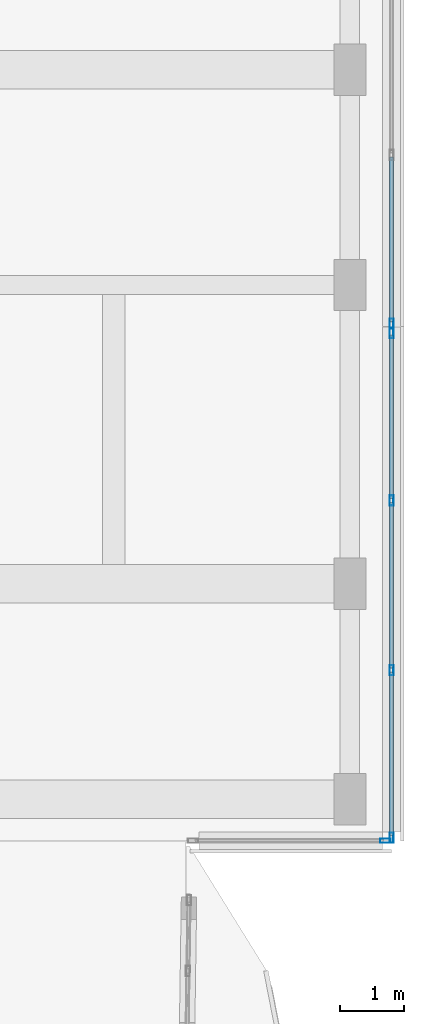
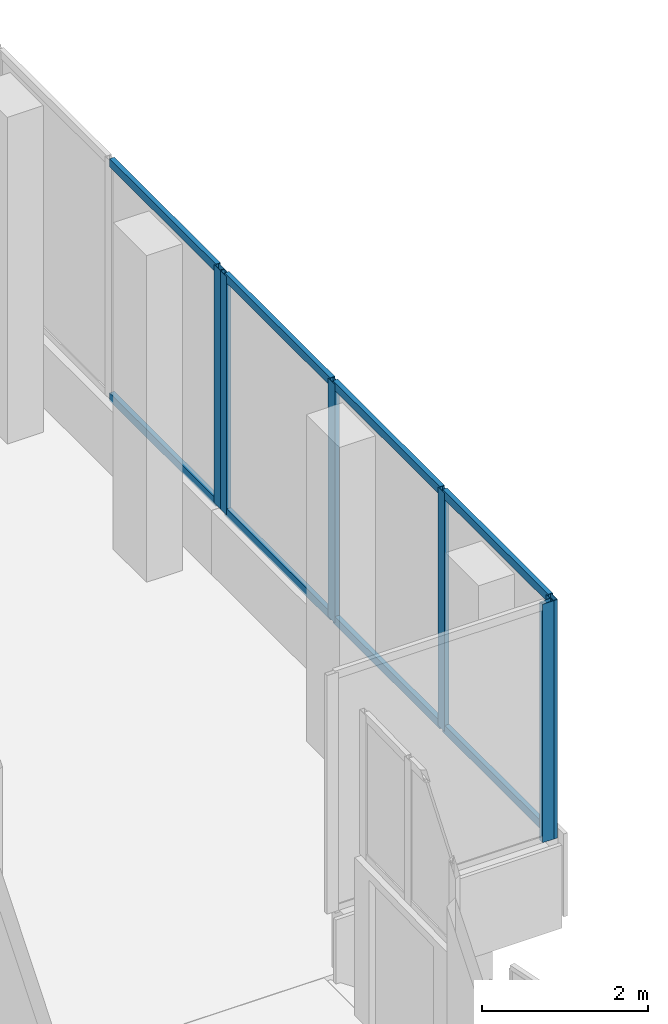
# One storey, part 109 of 168: 14 members, 3 elements without a shape of their own.
"""IFC4 building model written with IfcOpenShell, lengths in metres."""

from ifc_helpers import new_model, si_unit, direction, frame, origin, origin_2d, place, context, subcontext, project, spatial, hollow_rectangle, extrude, material, material_profile, profile_set, type_object, element, aggregate, save


model = new_model("IFC4")

# Units and contexts
model_context = context("Model", 3, precision=1e-05, world=origin(), true_north=direction((0.0, 1.0)))
body_context = subcontext(model_context, "Body", "Model", "MODEL_VIEW")
ifc_project = project(units=[si_unit("LENGTHUNIT", "METRE"), si_unit("AREAUNIT", "SQUARE_METRE"), si_unit("VOLUMEUNIT", "CUBIC_METRE"), si_unit("PLANEANGLEUNIT", "RADIAN"), si_unit("MASSUNIT", "GRAM", prefix="KILO")], contexts=[model_context])

# Site, building, storey
site_placement = place(None, origin())
site = spatial("IfcSite", under=ifc_project, at=site_placement, CompositionType="ELEMENT")
building_placement = place(site_placement, origin())
building = spatial("IfcBuilding", under=site, at=building_placement, Name="Selatvlak General Hospital", CompositionType="ELEMENT")
storey_placement = place(building_placement, frame((0.0, 0.0, 5.39990234375)))
storey = spatial("IfcBuildingStorey", under=building, at=storey_placement, Name="L01", CompositionType="ELEMENT", Elevation=5.39990234375)

# Curtain wall, member
ifc_material_1 = material(Name="Solar-control Low-E double glazing", Category="glass")
curtain_wall_type_1 = type_object("IfcCurtainWallType", Name="CW-CW-02", PredefinedType="USERDEFINED", material=ifc_material_1)
curtain_wall_1_placement = place(storey_placement, origin())
curtain_wall_1 = element("IfcCurtainWall", 1, at=curtain_wall_1_placement, inside=storey, type_object=curtain_wall_type_1, Name="Glazed facade curtain wall CW-L01-0137", ObjectType="UNITISED CURTAIN WALL", PredefinedType="USERDEFINED")
ifc_material_2 = material(Name="Dark anodised aluminium mullion", Category="aluminium")
ifc_material_profile_1 = material_profile(ifc_material_2, hollow_rectangle(XDim=0.06494140625, YDim=0.159912109375, WallThickness=0.00390625, at=origin_2d()), Name="AL-MUL 65x160x4")
ifc_profile_set_1 = profile_set([ifc_material_profile_1], Name="Dark anodised aluminium mullion")
member_type_1 = type_object("IfcMemberType", Name="CWM-01", PredefinedType="MULLION", material=ifc_profile_set_1)
member_1_placement = place(storey_placement, frame((182.0, 72.048583984375, 0.940185546875), z_axis=(0.0, 0.0, 1.0), x_axis=(1.0, 0.0, 0.0)))
member_1 = element("IfcMember", 2, at=member_1_placement, type_object=member_type_1, Name="CW-02 mullion 4", PredefinedType="MULLION", context=body_context, shape_type="SweptSolid", body=[
    extrude(hollow_rectangle(XDim=0.06494140625, YDim=0.159912109375, WallThickness=0.00390625, at=origin_2d()), origin(), (0.0, 0.0, 1.0), 3.5048828125),
])

# Curtain wall, members
curtain_wall_type_2 = type_object("IfcCurtainWallType", Name="CW-CW-01", PredefinedType="USERDEFINED", material=ifc_material_1)
curtain_wall_2_placement = place(storey_placement, origin())
curtain_wall_2 = element("IfcCurtainWall", 3, at=curtain_wall_2_placement, inside=storey, type_object=curtain_wall_type_2, Name="Glazed facade curtain wall CW-L01-0138", ObjectType="UNITISED CURTAIN WALL", PredefinedType="USERDEFINED")
member_2_placement = place(storey_placement, frame((182.0, 71.903564453125, 0.940185546875), z_axis=(0.0, 0.0, 1.0), x_axis=(1.0, 0.0, 0.0)))
member_2 = element("IfcMember", 4, at=member_2_placement, type_object=member_type_1, Name="CW-01 mullion 1", PredefinedType="MULLION", context=body_context, shape_type="SweptSolid", body=[
    extrude(hollow_rectangle(XDim=0.06494140625, YDim=0.159912109375, WallThickness=0.00390625, at=origin_2d()), origin(), (0.0, 0.0, 1.0), 3.5048828125),
])
member_3_placement = place(storey_placement, frame((182.0, 69.2958984375, 0.940185546875), z_axis=(0.0, 0.0, 1.0), x_axis=(1.0, 0.0, 0.0)))
member_3 = element("IfcMember", 5, at=member_3_placement, type_object=member_type_1, Name="CW-01 mullion 2", PredefinedType="MULLION", context=body_context, shape_type="SweptSolid", body=[
    extrude(hollow_rectangle(XDim=0.06494140625, YDim=0.159912109375, WallThickness=0.00390625, at=origin_2d()), origin(), (0.0, 0.0, 1.0), 3.5048828125),
])
member_4_placement = place(storey_placement, frame((182.0, 66.656005859375, 0.940185546875), z_axis=(0.0, 0.0, 1.0), x_axis=(1.0, 0.0, 0.0)))
member_4 = element("IfcMember", 6, at=member_4_placement, type_object=member_type_1, Name="CW-01 mullion 3", PredefinedType="MULLION", context=body_context, shape_type="SweptSolid", body=[
    extrude(hollow_rectangle(XDim=0.06494140625, YDim=0.159912109375, WallThickness=0.00390625, at=origin_2d()), origin(), (0.0, 0.0, 1.0), 3.5048828125),
])
member_5_placement = place(storey_placement, frame((182.0, 64.048583984375, 0.940185546875), z_axis=(0.0, 0.0, 1.0), x_axis=(1.0, 0.0, 0.0)))
member_5 = element("IfcMember", 7, at=member_5_placement, type_object=member_type_1, Name="CW-01 mullion 4", PredefinedType="MULLION", context=body_context, shape_type="SweptSolid", body=[
    extrude(hollow_rectangle(XDim=0.06494140625, YDim=0.159912109375, WallThickness=0.00390625, at=origin_2d()), origin(), (0.0, 0.0, 1.0), 3.5048828125),
])

# Curtain wall, member
curtain_wall_3_placement = place(storey_placement, origin())
curtain_wall_3 = element("IfcCurtainWall", 8, at=curtain_wall_3_placement, inside=storey, type_object=curtain_wall_type_2, Name="Glazed facade curtain wall CW-L01-0139", ObjectType="UNITISED CURTAIN WALL", PredefinedType="USERDEFINED")
member_6_placement = place(storey_placement, frame((181.902587890625, 64.0009765625, 0.940185546875), z_axis=(0.0, 0.0, 1.0), x_axis=(0.000326797363, -0.999999946602, 0.0)))
member_6 = element("IfcMember", 9, at=member_6_placement, type_object=member_type_1, Name="CW-01 mullion 1", PredefinedType="MULLION", context=body_context, shape_type="SweptSolid", body=[
    extrude(hollow_rectangle(XDim=0.06494140625, YDim=0.159912109375, WallThickness=0.00390625, at=origin_2d()), origin(), (0.0, 0.0, 1.0), 3.5048828125),
])
aggregate(curtain_wall_3, [member_6])

# Member
ifc_material_profile_2 = material_profile(ifc_material_2, hollow_rectangle(XDim=0.06494140625, YDim=0.1201171875, WallThickness=0.00390625, at=origin_2d()), Name="AL-TRN 65x120x4")
ifc_profile_set_2 = profile_set([ifc_material_profile_2], Name="Dark anodised aluminium mullion")
member_type_2 = type_object("IfcMemberType", Name="CWT-01", PredefinedType="USERDEFINED", material=ifc_profile_set_2)
member_7_placement = place(storey_placement, frame((182.0, 74.64013671875, 0.97265625), z_axis=(0.0, -1.0, 0.0), x_axis=(1.0, 0.0, 0.0)))
member_7 = element("IfcMember", 10, at=member_7_placement, type_object=member_type_2, Name="CW-02 transom 3.1", ObjectType="TRANSOM", PredefinedType="USERDEFINED", context=body_context, shape_type="SweptSolid", body=[
    extrude(hollow_rectangle(XDim=0.06494140625, YDim=0.1201171875, WallThickness=0.00390625, at=origin_2d()), origin(), (0.0, 0.0, 1.0), 2.55908203125),
])

member_8_placement = place(storey_placement, frame((182.0, 74.64013671875, 4.41259765625), z_axis=(0.0, -1.0, 0.0), x_axis=(1.0, 0.0, 0.0)))
member_8 = element("IfcMember", 11, at=member_8_placement, type_object=member_type_2, Name="CW-02 transom 3.2", ObjectType="TRANSOM", PredefinedType="USERDEFINED", context=body_context, shape_type="SweptSolid", body=[
    extrude(hollow_rectangle(XDim=0.06494140625, YDim=0.1201171875, WallThickness=0.00390625, at=origin_2d()), origin(), (0.0, 0.0, 1.0), 2.55908203125),
])

aggregate(curtain_wall_1, [member_1, member_7, member_8])

member_9_placement = place(storey_placement, frame((182.0, 71.87109375, 0.97265625), z_axis=(0.0, -1.0, 0.0), x_axis=(1.0, 0.0, 0.0)))
member_9 = element("IfcMember", 12, at=member_9_placement, type_object=member_type_2, Name="CW-01 transom 1.1", ObjectType="TRANSOM", PredefinedType="USERDEFINED", context=body_context, shape_type="SweptSolid", body=[
    extrude(hollow_rectangle(XDim=0.06494140625, YDim=0.1201171875, WallThickness=0.00390625, at=origin_2d()), origin(), (0.0, 0.0, 1.0), 2.54248046875),
])

member_10_placement = place(storey_placement, frame((182.0, 71.87109375, 4.41259765625), z_axis=(0.0, -1.0, 0.0), x_axis=(1.0, 0.0, 0.0)))
member_10 = element("IfcMember", 13, at=member_10_placement, type_object=member_type_2, Name="CW-01 transom 1.2", ObjectType="TRANSOM", PredefinedType="USERDEFINED", context=body_context, shape_type="SweptSolid", body=[
    extrude(hollow_rectangle(XDim=0.06494140625, YDim=0.1201171875, WallThickness=0.00390625, at=origin_2d()), origin(), (0.0, 0.0, 1.0), 2.54248046875),
])

member_11_placement = place(storey_placement, frame((182.0, 69.263427734375, 0.97265625), z_axis=(0.0, -1.0, 0.0), x_axis=(1.0, 0.0, 0.0)))
member_11 = element("IfcMember", 14, at=member_11_placement, type_object=member_type_2, Name="CW-01 transom 2.1", ObjectType="TRANSOM", PredefinedType="USERDEFINED", context=body_context, shape_type="SweptSolid", body=[
    extrude(hollow_rectangle(XDim=0.06494140625, YDim=0.1201171875, WallThickness=0.00390625, at=origin_2d()), origin(), (0.0, 0.0, 1.0), 2.574951171875),
])

member_12_placement = place(storey_placement, frame((182.0, 69.263427734375, 4.41259765625), z_axis=(0.0, -1.0, 0.0), x_axis=(1.0, 0.0, 0.0)))
member_12 = element("IfcMember", 15, at=member_12_placement, type_object=member_type_2, Name="CW-01 transom 2.2", ObjectType="TRANSOM", PredefinedType="USERDEFINED", context=body_context, shape_type="SweptSolid", body=[
    extrude(hollow_rectangle(XDim=0.06494140625, YDim=0.1201171875, WallThickness=0.00390625, at=origin_2d()), origin(), (0.0, 0.0, 1.0), 2.574951171875),
])

member_13_placement = place(storey_placement, frame((182.0, 66.62353515625, 0.97265625), z_axis=(0.0, -1.0, 0.0), x_axis=(1.0, 0.0, 0.0)))
member_13 = element("IfcMember", 16, at=member_13_placement, type_object=member_type_2, Name="CW-01 transom 3.1", ObjectType="TRANSOM", PredefinedType="USERDEFINED", context=body_context, shape_type="SweptSolid", body=[
    extrude(hollow_rectangle(XDim=0.06494140625, YDim=0.1201171875, WallThickness=0.00390625, at=origin_2d()), origin(), (0.0, 0.0, 1.0), 2.54248046875),
])

member_14_placement = place(storey_placement, frame((182.0, 66.62353515625, 4.41259765625), z_axis=(0.0, -1.0, 0.0), x_axis=(1.0, 0.0, 0.0)))
member_14 = element("IfcMember", 17, at=member_14_placement, type_object=member_type_2, Name="CW-01 transom 3.2", ObjectType="TRANSOM", PredefinedType="USERDEFINED", context=body_context, shape_type="SweptSolid", body=[
    extrude(hollow_rectangle(XDim=0.06494140625, YDim=0.1201171875, WallThickness=0.00390625, at=origin_2d()), origin(), (0.0, 0.0, 1.0), 2.54248046875),
])

aggregate(curtain_wall_2, [member_2, member_3, member_4, member_5, member_9, member_10, member_11, member_12, member_13, member_14])

save(model, "model.ifc")
